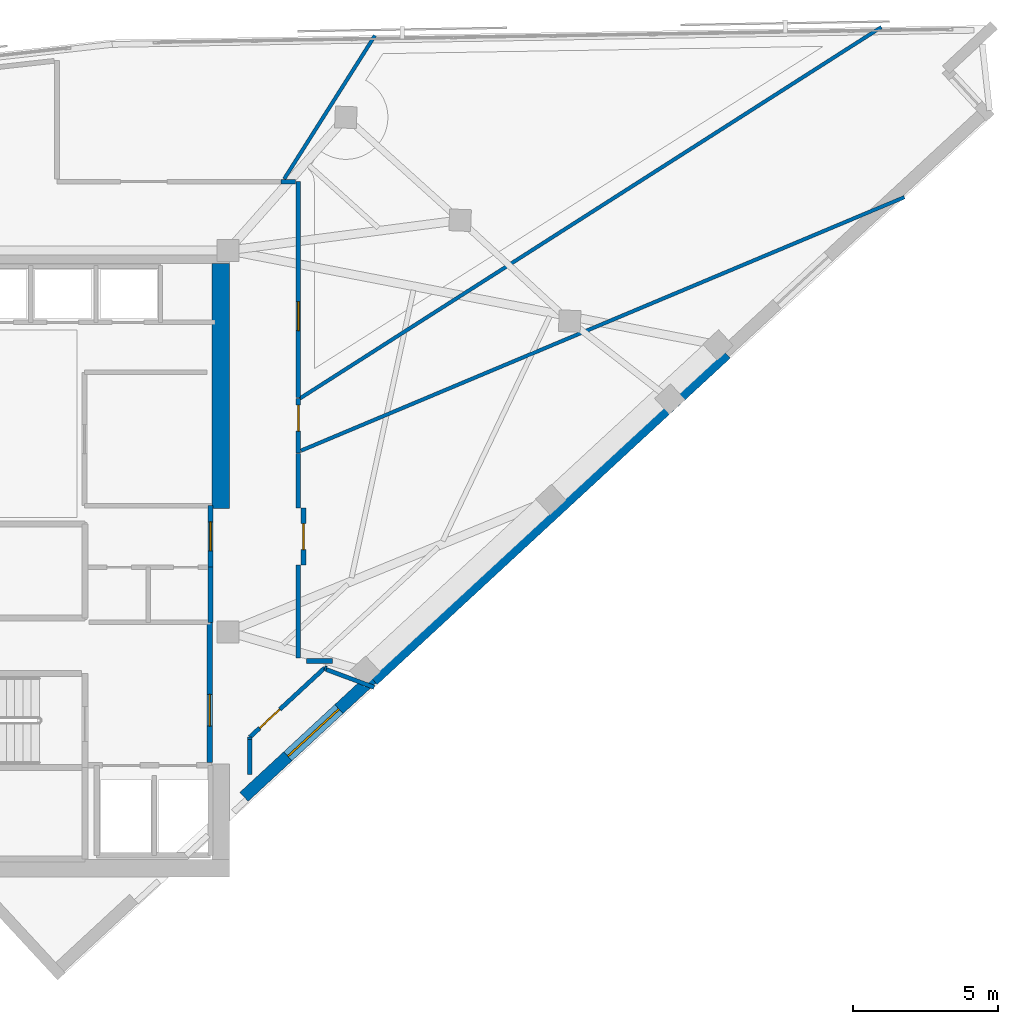
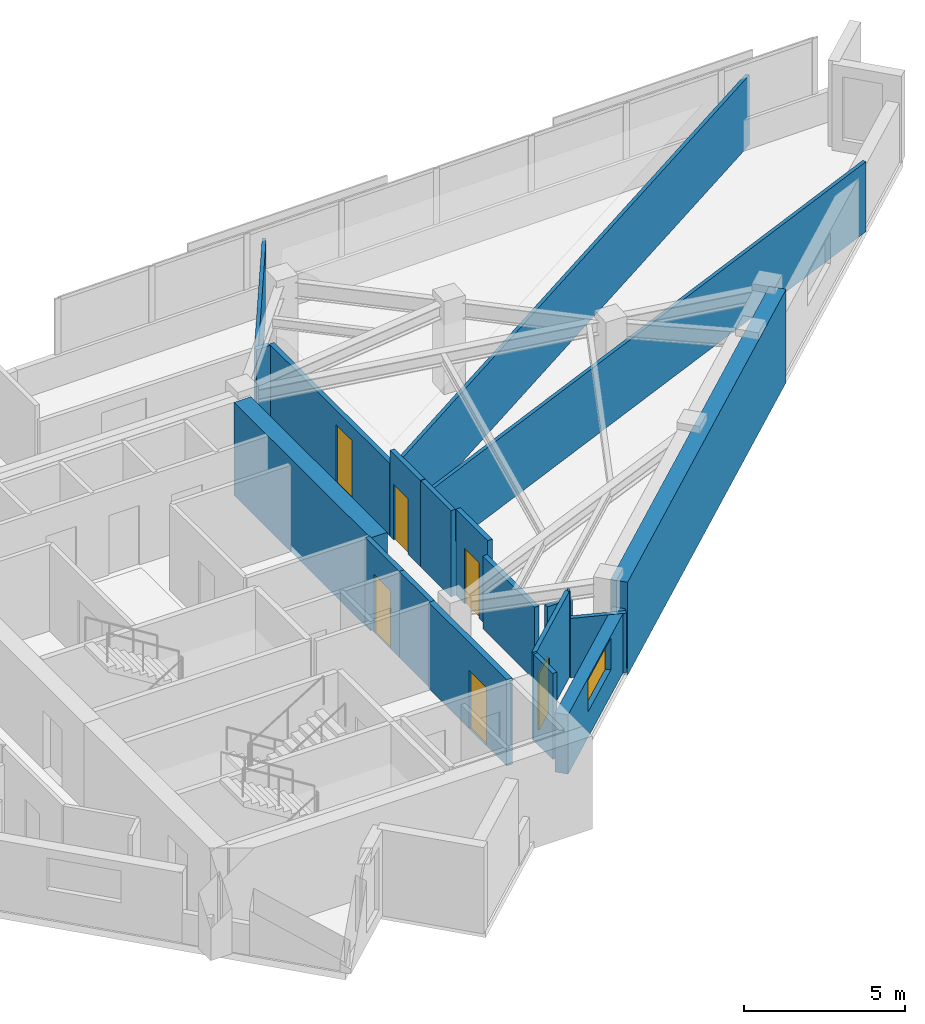
# One storey, part 10 of 13: 21 walls, 6 doors, 1 window, 7 openings.
"""IFC4 building model written with IfcOpenShell, lengths in metres."""

from ifc_helpers import new_model, si_unit, direction, frame, frame_2d, origin, place, context, subcontext, project, spatial, rectangle, extrude, material, layer, layer_set, type_object, element, fill, save


model = new_model("IFC4")

# Units and contexts
model_context = context("Model", 3, precision=1e-05, world=origin(), true_north=direction((0.0, 1.0)))
body_context = subcontext(model_context, "Body", "Model", "MODEL_VIEW")
ifc_project = project(units=[si_unit("LENGTHUNIT", "METRE"), si_unit("AREAUNIT", "SQUARE_METRE"), si_unit("VOLUMEUNIT", "CUBIC_METRE"), si_unit("PLANEANGLEUNIT", "RADIAN"), si_unit("MASSUNIT", "GRAM", prefix="KILO")], contexts=[model_context])

# Site, building, storey
site_placement = place(None, origin())
site = spatial("IfcSite", under=ifc_project, at=site_placement, CompositionType="ELEMENT")
building_placement = place(site_placement, origin())
building = spatial("IfcBuilding", under=site, at=building_placement, Name="Narakoshi Arena Tower", CompositionType="ELEMENT")
storey_placement = place(building_placement, frame((0.0, 0.0, 281.860107421875)))
storey = spatial("IfcBuildingStorey", under=building, at=storey_placement, Name="L77", CompositionType="ELEMENT", Elevation=281.860107421875)

# Wall
ifc_material_1 = material(Name="Concrete C50/60", Category="concrete")
ifc_layer_1 = layer(ifc_material_1, 0.60009765625)
ifc_layer_set_1 = layer_set([ifc_layer_1], Name="Concrete C50/60")
wall_type_1 = type_object("IfcWallType", Name="WL-CORE-600", PredefinedType="SHEAR", material=ifc_layer_set_1)
wall_1_placement = place(storey_placement, frame((85.300048828125, 47.60009765625, -0.260009765625), z_axis=(0.0, 0.0, 1.0), x_axis=(0.0, 1.0, 0.0)))
element("IfcWall", 1, at=wall_1_placement, inside=storey, type_object=wall_type_1, Name="L77 Main Core Shear Wall CW-MN-E", PredefinedType="SHEAR", context=body_context, shape_type="SweptSolid", body=[
    extrude(rectangle(XDim=8.449951171875, YDim=0.60009765625, at=frame_2d((4.22509765625, 0.0))), origin(), (0.0, 0.0, 1.0), 3.52001953125),
])

# Wall, opening, door
ifc_material_2 = material(Name="Gypsum plasterboard fire-rated partition")
ifc_layer_2 = layer(ifc_material_2, 0.1650390625)
ifc_layer_set_2 = layer_set([ifc_layer_2], Name="Gypsum plasterboard fire-rated partition")
wall_type_2 = type_object("IfcWallType", Name="WL-CORR-165", PredefinedType="PARTITIONING", material=ifc_layer_set_2)
wall_2_placement = place(storey_placement, frame((84.949951171875, 45.580078125, 0.0), z_axis=(0.0, 0.0, 1.0), x_axis=(0.0, 1.0, 0.0)))
wall_2 = element("IfcWall", 2, at=wall_2_placement, inside=storey, type_object=wall_type_2, Name="L77 Core Wall CPAS-E", PredefinedType="PARTITIONING", context=body_context, shape_type="SweptSolid", body=[
    extrude(rectangle(XDim=2.119873046875, YDim=0.1650390625, at=frame_2d((1.06005859375, 0.0))), origin(), (0.0, 0.0, 1.0), 3.260009765625),
])
opening_1_placement = place(wall_2_placement, frame((0.56005859375, 0.0, 0.0)))
opening_1 = element("IfcOpeningElement", 3, at=opening_1_placement, cuts=wall_2, Name="Opening D-06", PredefinedType="OPENING", context=body_context, shape_type="SweptSolid", body=[
    extrude(rectangle(XDim=1.0, YDim=2.199951171875, at=frame_2d((0.5, 1.10009765625))), frame((0.0, 0.092529296875, 0.0), z_axis=(0.0, -1.0, 0.0), x_axis=(1.0, 0.0, 0.0)), (0.0, 0.0, 1.0), 0.18505859375),
])
ifc_material_3 = material(Name="Stained oak solid-core timber", Category="wood")
door_type_1 = type_object("IfcDoorType", Name="DR-OFF-1000", OperationType="NOTDEFINED", PredefinedType="DOOR", material=ifc_material_3)
door_1_placement = place(opening_1_placement, frame((1.0, 0.0, 0.0), z_axis=(0.0, 0.0, 1.0), x_axis=(-1.0, 0.0, 0.0)))
door_1 = element("IfcDoor", 4, at=door_1_placement, inside=storey, type_object=door_type_1, Name="DR-L77-007", OperationType="SINGLE_SWING_LEFT", OverallHeight=2.199951171875, OverallWidth=1.0, PredefinedType="DOOR", context=body_context, shape_type="SweptSolid", body=[
    extrude(rectangle(XDim=1.0, YDim=2.199951171875, at=frame_2d((0.5, 1.10009765625))), frame((0.0, 0.02490234375, 0.0), z_axis=(0.0, -1.0, 0.0), x_axis=(1.0, 0.0, 0.0)), (0.0, 0.0, 1.0), 0.050048828125),
])
fill(opening_1, door_1)

wall_3_placement = place(storey_placement, frame((87.97216796875, 49.520751953125, 0.0), z_axis=(0.0, 0.0, 1.0), x_axis=(0.0, 1.0, 0.0)))
wall_3 = element("IfcWall", 5, at=wall_3_placement, inside=storey, type_object=wall_type_2, Name="L77 Corridor Partition 03-1", PredefinedType="PARTITIONING", context=body_context, shape_type="SweptSolid", body=[
    extrude(rectangle(XDim=1.874755859375, YDim=0.1650390625, at=frame_2d((0.9375, 0.0))), origin(), (0.0, 0.0, 1.0), 3.260009765625),
])
opening_2_placement = place(wall_3_placement, frame((0.751708984375, 0.0, 0.0)))
opening_2 = element("IfcOpeningElement", 6, at=opening_2_placement, cuts=wall_3, Name="Opening D-08", PredefinedType="OPENING", context=body_context, shape_type="SweptSolid", body=[
    extrude(rectangle(XDim=0.89990234375, YDim=2.10009765625, at=frame_2d((0.449951171875, 1.050048828125))), frame((0.0, 0.092529296875, 0.0), z_axis=(0.0, -1.0, 0.0), x_axis=(1.0, 0.0, 0.0)), (0.0, 0.0, 1.0), 0.18505859375),
])
ifc_material_4 = material(Name="Moisture-resistant laminate timber", Category="wood")
door_type_2 = type_object("IfcDoorType", Name="DR-WC-900", OperationType="NOTDEFINED", PredefinedType="DOOR", material=ifc_material_4)
door_2_placement = place(opening_2_placement, frame((0.89990234375, 0.0, 0.0), z_axis=(0.0, 0.0, 1.0), x_axis=(-1.0, 0.0, 0.0)))
door_2 = element("IfcDoor", 7, at=door_2_placement, inside=storey, type_object=door_type_2, Name="DR-L77-017", OperationType="SINGLE_SWING_LEFT", OverallHeight=2.10009765625, OverallWidth=0.89990234375, PredefinedType="DOOR", context=body_context, shape_type="SweptSolid", body=[
    extrude(rectangle(XDim=0.89990234375, YDim=2.10009765625, at=frame_2d((0.449951171875, 1.050048828125))), frame((0.0, 0.02490234375, 0.0), z_axis=(0.0, -1.0, 0.0), x_axis=(1.0, 0.0, 0.0)), (0.0, 0.0, 1.0), 0.050048828125),
])
fill(opening_2, door_2)

# Wall
wall_4_placement = place(storey_placement, frame((87.97216796875, 42.445556640625, 0.0), z_axis=(0.0, 0.0, 1.0), x_axis=(0.0, 1.0, 0.0)))
element("IfcWall", 8, at=wall_4_placement, inside=storey, type_object=wall_type_2, Name="L77 Corridor Partition 04-1", PredefinedType="PARTITIONING", context=body_context, shape_type="SweptSolid", body=[
    extrude(rectangle(XDim=3.204345703125, YDim=0.1650390625, at=frame_2d((1.60205078125, 0.0))), origin(), (0.0, 0.0, 1.0), 2.744873046875),
])

# Wall, opening, door
wall_5_placement = place(storey_placement, frame((88.14990234375, 45.64990234375, 0.0), z_axis=(0.0, 0.0, 1.0), x_axis=(0.0, 1.0, 0.0)))
wall_5 = element("IfcWall", 9, at=wall_5_placement, inside=storey, type_object=wall_type_2, Name="L77 Corridor Partition 04-2", PredefinedType="PARTITIONING", context=body_context, shape_type="SweptSolid", body=[
    extrude(rectangle(XDim=1.97021484375, YDim=0.1650390625, at=frame_2d((0.985107421875, 0.0))), origin(), (0.0, 0.0, 1.0), 3.260009765625),
])
opening_3_placement = place(wall_5_placement, frame((0.534912109375, 0.0, 0.0)))
opening_3 = element("IfcOpeningElement", 10, at=opening_3_placement, cuts=wall_5, Name="Opening D-08", PredefinedType="OPENING", context=body_context, shape_type="SweptSolid", body=[
    extrude(rectangle(XDim=0.89990234375, YDim=2.10009765625, at=frame_2d((0.449951171875, 1.050048828125))), frame((0.0, 0.092529296875, 0.0), z_axis=(0.0, -1.0, 0.0), x_axis=(1.0, 0.0, 0.0)), (0.0, 0.0, 1.0), 0.18505859375),
])
door_3_placement = place(opening_3_placement, frame((0.89990234375, 0.0, 0.0), z_axis=(0.0, 0.0, 1.0), x_axis=(-1.0, 0.0, 0.0)))
door_3 = element("IfcDoor", 11, at=door_3_placement, inside=storey, type_object=door_type_2, Name="DR-L77-018", OperationType="SINGLE_SWING_RIGHT", OverallHeight=2.10009765625, OverallWidth=0.89990234375, PredefinedType="DOOR", context=body_context, shape_type="SweptSolid", body=[
    extrude(rectangle(XDim=0.89990234375, YDim=2.10009765625, at=frame_2d((0.449951171875, 1.050048828125))), frame((0.0, 0.02490234375, 0.0), z_axis=(0.0, -1.0, 0.0), x_axis=(1.0, 0.0, 0.0)), (0.0, 0.0, 1.0), 0.050048828125),
])
fill(opening_3, door_3)

# Walls
wall_6_placement = place(storey_placement, frame((87.97216796875, 47.6201171875, 0.0), z_axis=(0.0, 0.0, 1.0), x_axis=(0.0, 1.0, 0.0)))
element("IfcWall", 12, at=wall_6_placement, inside=storey, type_object=wall_type_2, Name="L77 Corridor Partition 04-3", PredefinedType="PARTITIONING", context=body_context, shape_type="SweptSolid", body=[
    extrude(rectangle(XDim=1.87451171875, YDim=0.1650390625, at=frame_2d((0.937255859375, 0.0))), origin(), (0.0, 0.0, 1.0), 3.260009765625),
])
wall_7_placement = place(storey_placement, frame((89.142578125, 42.35009765625, 0.0), z_axis=(0.0, 0.0, 1.0), x_axis=(-1.0, 0.0, 0.0)))
element("IfcWall", 13, at=wall_7_placement, inside=storey, type_object=wall_type_2, Name="L77 Corridor Partition 04-4", PredefinedType="PARTITIONING", context=body_context, shape_type="SweptSolid", body=[
    extrude(rectangle(XDim=0.893798828125, YDim=0.1650390625, at=frame_2d((0.44677734375, 0.0))), origin(), (0.0, 0.0, 1.0), 2.744873046875),
])

# Wall, opening, door
wall_8_placement = place(storey_placement, frame((87.97216796875, 51.423828125, 0.0), z_axis=(0.0, 0.0, 1.0), x_axis=(0.0, 1.0, 0.0)))
wall_8 = element("IfcWall", 14, at=wall_8_placement, inside=storey, type_object=wall_type_2, Name="L77 Corridor Partition 05-1", PredefinedType="PARTITIONING", context=body_context, shape_type="SweptSolid", body=[
    extrude(rectangle(XDim=7.448486328125, YDim=0.1650390625, at=frame_2d((3.72412109375, 0.0))), origin(), (0.0, 0.0, 1.0), 2.744873046875),
])
opening_4_placement = place(wall_8_placement, frame((2.31689453125, 0.0, 0.0)))
opening_4 = element("IfcOpeningElement", 15, at=opening_4_placement, cuts=wall_8, Name="Opening D-06", PredefinedType="OPENING", context=body_context, shape_type="SweptSolid", body=[
    extrude(rectangle(XDim=1.0, YDim=2.199951171875, at=frame_2d((0.5, 1.10009765625))), frame((0.0, 0.092529296875, 0.0), z_axis=(0.0, -1.0, 0.0), x_axis=(1.0, 0.0, 0.0)), (0.0, 0.0, 1.0), 0.18505859375),
])
door_4_placement = place(opening_4_placement, frame((1.0, 0.0, 0.0), z_axis=(0.0, 0.0, 1.0), x_axis=(-1.0, 0.0, 0.0)))
door_4 = element("IfcDoor", 16, at=door_4_placement, inside=storey, type_object=door_type_1, Name="DR-L77-019", OperationType="SINGLE_SWING_LEFT", OverallHeight=2.199951171875, OverallWidth=1.0, PredefinedType="DOOR", context=body_context, shape_type="SweptSolid", body=[
    extrude(rectangle(XDim=1.0, YDim=2.199951171875, at=frame_2d((0.5, 1.10009765625))), frame((0.0, 0.02490234375, 0.0), z_axis=(0.0, -1.0, 0.0), x_axis=(1.0, 0.0, 0.0)), (0.0, 0.0, 1.0), 0.050048828125),
])
fill(opening_4, door_4)

# Walls
wall_9_placement = place(storey_placement, frame((87.877685546875, 58.872314453125, 0.0), z_axis=(0.0, 0.0, 1.0), x_axis=(-1.0, 0.0, 0.0)))
element("IfcWall", 17, at=wall_9_placement, inside=storey, type_object=wall_type_2, Name="L77 Corridor Partition 05-2", PredefinedType="PARTITIONING", context=body_context, shape_type="SweptSolid", body=[
    extrude(rectangle(XDim=0.49365234375, YDim=0.1650390625, at=frame_2d((0.246826171875, 0.0))), origin(), (0.0, 0.0, 1.0), 2.744873046875),
])
ifc_layer_3 = layer(ifc_material_1, 0.550048828125)
ifc_layer_set_3 = layer_set([ifc_layer_3], Name="Concrete C50/60")
wall_type_3 = type_object("IfcWallType", Name="WL-LEG-550", PredefinedType="SHEAR", material=ifc_layer_set_3)
wall_10_placement = place(storey_placement, frame((90.5078125, 41.739501953125, -0.260009765625), z_axis=(0.0, 0.0, 1.0), x_axis=(0.734315848115, 0.678807951638, 0.0)))
element("IfcWall", 18, at=wall_10_placement, inside=storey, type_object=wall_type_3, Name="L77 Architectural Concrete Structural Wall LEGA-3", PredefinedType="SHEAR", context=body_context, shape_type="SweptSolid", body=[
    extrude(rectangle(XDim=16.57275390625, YDim=0.550048828125, at=frame_2d((8.286376953125, 0.0))), origin(), (0.0, 0.0, 1.0), 3.52001953125),
])
ifc_layer_4 = layer(ifc_material_2, 0.125)
ifc_layer_set_4 = layer_set([ifc_layer_4], Name="Gypsum plasterboard fire-rated partition")
wall_type_4 = type_object("IfcWallType", Name="WL-PART-125", PredefinedType="PARTITIONING", material=ifc_layer_set_4)
wall_11_placement = place(storey_placement, frame((108.867919921875, 58.337158203125, 0.0), z_axis=(0.0, 0.0, 1.0), x_axis=(-0.921966033449, -0.387270749174, 0.0)))
element("IfcWall", 19, at=wall_11_placement, inside=storey, type_object=wall_type_4, Name="L77 Inter-Room Partition 03-04", PredefinedType="PARTITIONING", context=body_context, shape_type="SweptSolid", body=[
    extrude(rectangle(XDim=22.561767578125, YDim=0.125, at=frame_2d((11.28076171875, 0.0))), origin(), (0.0, 0.0, 1.0), 2.644775390625),
])
wall_12_placement = place(storey_placement, frame((88.021484375, 51.3955078125, 0.0), z_axis=(0.0, 0.0, 1.0), x_axis=(0.842826341775, 0.538185616316, 0.0)))
element("IfcWall", 20, at=wall_12_placement, inside=storey, type_object=wall_type_4, Name="L77 Inter-Room Partition 03-05", PredefinedType="PARTITIONING", context=body_context, shape_type="SweptSolid", body=[
    extrude(rectangle(XDim=23.79052734375, YDim=0.125, at=frame_2d((11.895263671875, 0.0))), origin(), (0.0, 0.0, 1.0), 2.644775390625),
])
wall_13_placement = place(storey_placement, frame((87.48681640625, 58.966796875, 0.0), z_axis=(0.0, 0.0, 1.0), x_axis=(0.534730479589, 0.845022670819, 0.0)))
element("IfcWall", 21, at=wall_13_placement, inside=storey, type_object=wall_type_4, Name="L77 Inter-Room Partition 05-06", PredefinedType="PARTITIONING", context=body_context, shape_type="SweptSolid", body=[
    extrude(rectangle(XDim=5.852294921875, YDim=0.125, at=frame_2d((2.92626953125, 0.0))), origin(), (0.0, 0.0, 1.0), 2.744873046875),
])

# Wall, opening, window
ifc_material_5 = material(Name="Precast concrete C45/55", Category="concrete")
ifc_layer_5 = layer(ifc_material_5, 0.419921875)
ifc_layer_set_5 = layer_set([ifc_layer_5], Name="Precast concrete C45/55")
wall_type_5 = type_object("IfcWallType", Name="WL-POD-420", PredefinedType="SOLIDWALL", material=ifc_layer_set_5)
wall_14_placement = place(storey_placement, frame((86.10009765625, 37.6650390625, 0.0), z_axis=(0.0, 0.0, 1.0), x_axis=(0.734321413343, 0.678801931277, 0.0)))
wall_14 = element("IfcWall", 22, at=wall_14_placement, inside=storey, type_object=wall_type_5, Name="L77 Architectural Concrete Facade Wall LEGA-2", PredefinedType="SOLIDWALL", context=body_context, shape_type="SweptSolid", body=[
    extrude(rectangle(XDim=6.00244140625, YDim=0.419921875, at=frame_2d((3.001220703125, 0.0))), origin(), (0.0, 0.0, 1.0), 2.244873046875),
])
opening_5_placement = place(wall_14_placement, frame((2.05712890625, 0.0, 0.965087890625)))
opening_5 = element("IfcOpeningElement", 23, at=opening_5_placement, cuts=wall_14, Name="Opening WN-04", PredefinedType="OPENING", context=body_context, shape_type="SweptSolid", body=[
    extrude(rectangle(XDim=2.39990234375, YDim=1.199951171875, at=frame_2d((1.199951171875, 0.60009765625))), frame((0.0, 0.219970703125, 0.0), z_axis=(0.0, -1.0, 0.0), x_axis=(1.0, 0.0, 0.0)), (0.0, 0.0, 1.0), 0.43994140625),
])
ifc_material_6 = material(Name="Bronze-tinted low-E laminated glass", Category="glass")
window_type = type_object("IfcWindowType", Name="WIN-SLT-24x12", PartitioningType="SINGLE_PANEL", PredefinedType="WINDOW", material=ifc_material_6)
window_placement = place(opening_5_placement, origin())
window = element("IfcWindow", 24, at=window_placement, inside=storey, type_object=window_type, Name="L77 LEGA2 Horizontal Slot Window 1", OverallHeight=1.199951171875, OverallWidth=2.39990234375, PartitioningType="SINGLE_PANEL", PredefinedType="WINDOW", context=body_context, shape_type="SweptSolid", body=[
    extrude(rectangle(XDim=2.39990234375, YDim=1.199951171875, at=frame_2d((1.199951171875, 0.60009765625))), frame((0.0, 0.030029296875, 0.0), z_axis=(0.0, -1.0, 0.0), x_axis=(1.0, 0.0, 0.0)), (0.0, 0.0, 1.0), 0.06005859375),
])
fill(opening_5, window)

# Wall
ifc_material_7 = material(Name="Concrete C40/50", Category="concrete")
ifc_layer_6 = layer(ifc_material_7, 0.280029296875)
ifc_layer_set_6 = layer_set([ifc_layer_6], Name="Concrete C40/50")
wall_type_6 = type_object("IfcWallType", Name="WL-RISER-280", PredefinedType="PLUMBINGWALL", material=ifc_layer_set_6)
wall_15_placement = place(storey_placement, frame((84.949951171875, 43.679931640625, 0.0), z_axis=(0.0, 0.0, 1.0), x_axis=(0.0, 1.0, 0.0)))
element("IfcWall", 25, at=wall_15_placement, inside=storey, type_object=wall_type_6, Name="L77 Core Wall RSR-E", PredefinedType="PLUMBINGWALL", context=body_context, shape_type="SweptSolid", body=[
    extrude(rectangle(XDim=1.900146484375, YDim=0.1650390625, at=frame_2d((0.9501953125, 0.0))), origin(), (0.0, 0.0, 1.0), 3.260009765625),
])

# Wall, opening, door
ifc_layer_7 = layer(ifc_material_1, 0.35009765625)
ifc_layer_set_7 = layer_set([ifc_layer_7], Name="Concrete C50/60")
wall_type_7 = type_object("IfcWallType", Name="WL-SHAFT-350", PredefinedType="SOLIDWALL", material=ifc_layer_set_7)
wall_16_placement = place(storey_placement, frame((84.919921875, 38.85009765625, 0.0), z_axis=(0.0, 0.0, 1.0), x_axis=(0.0, 1.0, 0.0)))
wall_16 = element("IfcWall", 26, at=wall_16_placement, inside=storey, type_object=wall_type_7, Name="L77 Core Wall FFLOB-E", PredefinedType="SOLIDWALL", context=body_context, shape_type="SweptSolid", body=[
    extrude(rectangle(XDim=4.829833984375, YDim=0.199951171875, at=frame_2d((2.4150390625, 0.0))), origin(), (0.0, 0.0, 1.0), 3.260009765625),
])
opening_6_placement = place(wall_16_placement, frame((1.25, 0.0, 0.0)))
opening_6 = element("IfcOpeningElement", 27, at=opening_6_placement, cuts=wall_16, Name="Opening D-04", PredefinedType="OPENING", context=body_context, shape_type="SweptSolid", body=[
    extrude(rectangle(XDim=1.10009765625, YDim=2.199951171875, at=frame_2d((0.550048828125, 1.10009765625))), frame((0.0, 0.10986328125, 0.0), z_axis=(0.0, -1.0, 0.0), x_axis=(1.0, 0.0, 0.0)), (0.0, 0.0, 1.0), 0.219970703125),
])
ifc_material_8 = material(Name="Painted galvanized steel", Category="steel")
door_type_3 = type_object("IfcDoorType", Name="DR-FFL-1100", OperationType="NOTDEFINED", PredefinedType="DOOR", material=ifc_material_8)
door_5_placement = place(opening_6_placement, frame((1.10009765625, 0.0, 0.0), z_axis=(0.0, 0.0, 1.0), x_axis=(-1.0, 0.0, 0.0)))
door_5 = element("IfcDoor", 28, at=door_5_placement, inside=storey, type_object=door_type_3, Name="DR-L77-005", OperationType="SINGLE_SWING_RIGHT", OverallHeight=2.199951171875, OverallWidth=1.10009765625, PredefinedType="DOOR", context=body_context, shape_type="SweptSolid", body=[
    extrude(rectangle(XDim=1.10009765625, YDim=2.199951171875, at=frame_2d((0.550048828125, 1.10009765625))), frame((0.0, 0.02490234375, 0.0), z_axis=(0.0, -1.0, 0.0), x_axis=(1.0, 0.0, 0.0)), (0.0, 0.0, 1.0), 0.050048828125),
])
fill(opening_6, door_5)

ifc_material_9 = material(Name="Moisture-resistant cement-board partition")
ifc_layer_8 = layer(ifc_material_9, 0.14501953125)
ifc_layer_set_8 = layer_set([ifc_layer_8], Name="Moisture-resistant cement-board partition")
wall_type_8 = type_object("IfcWallType", Name="WL-WET-145", PredefinedType="PARTITIONING", material=ifc_layer_set_8)
wall_17_placement = place(storey_placement, frame((86.300048828125, 39.722412109375, 0.0), z_axis=(0.0, 0.0, 1.0), x_axis=(0.734328937731, 0.678793791376, 0.0)))
wall_17 = element("IfcWall", 29, at=wall_17_placement, inside=storey, type_object=wall_type_8, Name="L77 Corridor Partition 02-1", PredefinedType="PARTITIONING", context=body_context, shape_type="SweptSolid", body=[
    extrude(rectangle(XDim=3.512451171875, YDim=0.14501953125, at=frame_2d((1.75634765625, 0.0))), origin(), (0.0, 0.0, 1.0), 3.260009765625),
])
opening_7_placement = place(wall_17_placement, frame((0.45947265625, 0.0, 0.0)))
opening_7 = element("IfcOpeningElement", 30, at=opening_7_placement, cuts=wall_17, Name="Opening D-07", PredefinedType="OPENING", context=body_context, shape_type="SweptSolid", body=[
    extrude(rectangle(XDim=0.949951171875, YDim=2.14990234375, at=frame_2d((0.47509765625, 1.074951171875))), frame((0.0, 0.08251953125, 0.0), z_axis=(0.0, -1.0, 0.0), x_axis=(1.0, 0.0, 0.0)), (0.0, 0.0, 1.0), 0.1650390625),
])
door_type_4 = type_object("IfcDoorType", Name="DR-ACC-950", OperationType="NOTDEFINED", PredefinedType="DOOR", material=ifc_material_3)
door_6_placement = place(opening_7_placement, frame((0.949951171875, 0.0, 0.0), z_axis=(0.0, 0.0, 1.0), x_axis=(-1.0, 0.0, 0.0)))
door_6 = element("IfcDoor", 31, at=door_6_placement, inside=storey, type_object=door_type_4, Name="DR-L77-016", OperationType="SINGLE_SWING_RIGHT", OverallHeight=2.14990234375, OverallWidth=0.949951171875, PredefinedType="DOOR", context=body_context, shape_type="SweptSolid", body=[
    extrude(rectangle(XDim=0.949951171875, YDim=2.14990234375, at=frame_2d((0.47509765625, 1.074951171875))), frame((0.0, 0.02490234375, 0.0), z_axis=(0.0, -1.0, 0.0), x_axis=(1.0, 0.0, 0.0)), (0.0, 0.0, 1.0), 0.050048828125),
])
fill(opening_7, door_6)

# Walls
wall_18_placement = place(storey_placement, frame((86.300048828125, 39.640625, 0.0), z_axis=(0.0, 0.0, 1.0), x_axis=(0.0, 1.0, 0.0)))
element("IfcWall", 32, at=wall_18_placement, inside=storey, type_object=wall_type_8, Name="L77 Corridor Partition 02-2", PredefinedType="PARTITIONING", context=body_context, shape_type="SweptSolid", body=[
    extrude(rectangle(XDim=0.081787109375, YDim=0.14501953125, at=frame_2d((0.041015625, 0.0))), origin(), (0.0, 0.0, 1.0), 3.260009765625),
])
wall_19_placement = place(storey_placement, frame((88.87939453125, 42.106689453125, 0.0), z_axis=(0.0, 0.0, 1.0), x_axis=(0.946510188179, -0.322673927788, 0.0)))
element("IfcWall", 33, at=wall_19_placement, inside=storey, type_object=wall_type_8, Name="L77 Corridor Partition 02-3", PredefinedType="PARTITIONING", context=body_context, shape_type="SweptSolid", body=[
    extrude(rectangle(XDim=0.068115234375, YDim=0.14501953125, at=frame_2d((0.0341796875, 0.0))), origin(), (0.0, 0.0, 1.0), 3.260009765625),
])
wall_20_placement = place(storey_placement, frame((88.93359375, 42.055419921875, 0.0), z_axis=(0.0, 0.0, 1.0), x_axis=(0.937037747799, -0.349228090508, 0.0)))
element("IfcWall", 34, at=wall_20_placement, inside=storey, type_object=wall_type_8, Name="L77 Inter-Room Partition 02-04", PredefinedType="PARTITIONING", context=body_context, shape_type="SweptSolid", body=[
    extrude(rectangle(XDim=1.76513671875, YDim=0.14501953125, at=frame_2d((0.882568359375, 0.0))), origin(), (0.0, 0.0, 1.0), 2.244873046875),
])
wall_21_placement = place(storey_placement, frame((86.300048828125, 38.435546875, 0.0), z_axis=(0.0, 0.0, 1.0), x_axis=(0.0, 1.0, 0.0)))
element("IfcWall", 35, at=wall_21_placement, inside=storey, type_object=wall_type_8, Name="L77 Room Enclosure Partition 02-1", PredefinedType="PARTITIONING", context=body_context, shape_type="SweptSolid", body=[
    extrude(rectangle(XDim=1.205078125, YDim=0.14501953125, at=frame_2d((0.6025390625, 0.0))), origin(), (0.0, 0.0, 1.0), 3.260009765625),
])

save(model, "model.ifc")
